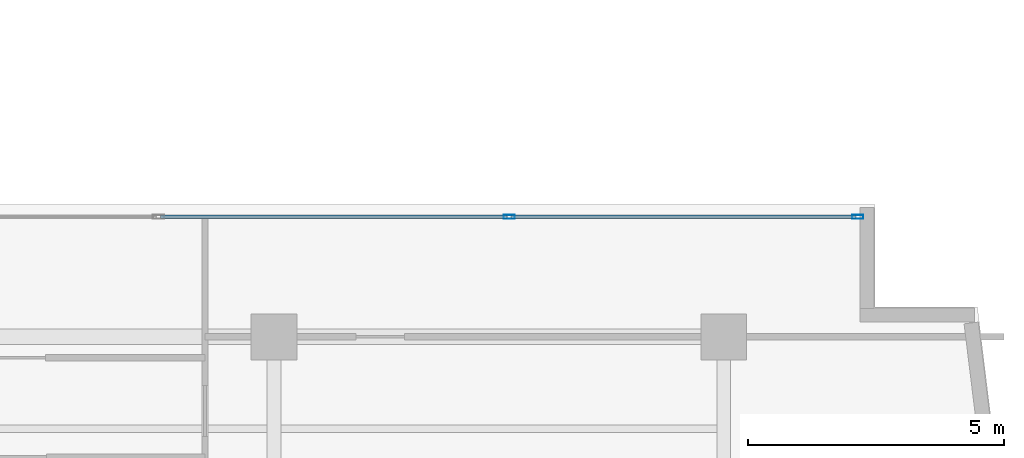
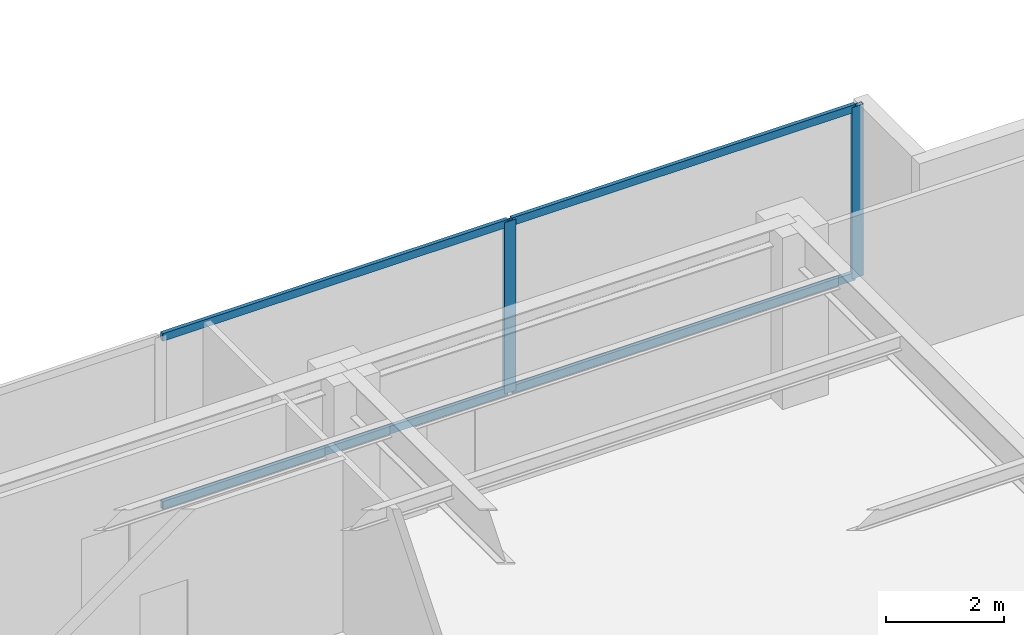
# One storey, part 12 of 22: 6 members, 1 element without a shape of its own.
"""IFC4 building model written with IfcOpenShell, lengths in metres."""

from ifc_helpers import new_model, si_unit, direction, frame, origin, origin_with_axes, origin_2d, place, context, subcontext, project, spatial, hollow_rectangle, extrude, source, transform, mapped, material, layer, layer_set, material_profile, profile_set, type_object, element, aggregate, save


model = new_model("IFC4")

# Units and contexts
model_context = context("Model", 3, precision=1e-05, world=origin(), true_north=direction((0.0, 1.0)))
body_context = subcontext(model_context, "Body", "Model", "MODEL_VIEW")
ifc_project = project(units=[si_unit("LENGTHUNIT", "METRE"), si_unit("AREAUNIT", "SQUARE_METRE"), si_unit("VOLUMEUNIT", "CUBIC_METRE"), si_unit("PLANEANGLEUNIT", "RADIAN"), si_unit("MASSUNIT", "GRAM", prefix="KILO")], contexts=[model_context])

# Site, building, storey
site_placement = place(None, origin())
site = spatial("IfcSite", under=ifc_project, at=site_placement, CompositionType="ELEMENT")
building_placement = place(site_placement, origin())
building = spatial("IfcBuilding", under=site, at=building_placement, Name="Kolvaren Waterfront Exchange", CompositionType="ELEMENT")
storey_placement = place(building_placement, frame((0.0, 0.0, 266.60009765625)))
storey = spatial("IfcBuildingStorey", under=building, at=storey_placement, Name="L68", CompositionType="ELEMENT", Elevation=266.60009765625)

# Curtain wall, members
ifc_material_1 = material(Name="Anodised bronze aluminium 6063-T6", Category="aluminium")
ifc_layer = layer(ifc_material_1, 0.219970703125, Name="Anodised bronze aluminium 6063-T6")
ifc_layer_set = layer_set([ifc_layer], Name="Anodised bronze aluminium 6063-T6")
curtain_wall_type = type_object("IfcCurtainWallType", Name="ARC-CW-SYS1", PredefinedType="USERDEFINED", material=ifc_layer_set)
curtain_wall_placement = place(storey_placement, origin())
curtain_wall = element("IfcCurtainWall", 1, at=curtain_wall_placement, inside=storey, type_object=curtain_wall_type, Name="L68 stick curtain wall CW1 (CW-L68-EN)", ObjectType="STICK CURTAIN WALL", PredefinedType="USERDEFINED")
ifc_material_2 = material(Name="Anodised aluminium 6063-T6", Category="aluminium")
ifc_material_profile_1 = material_profile(ifc_material_2, hollow_rectangle(XDim=0.080078125, YDim=0.219970703125, WallThickness=0.0048828125, at=origin_2d()), Name="ALU-MUL-220x80x5")
ifc_profile_set_1 = profile_set([ifc_material_profile_1], Name="Anodised aluminium 6063-T6")
member_type_1 = type_object("IfcMemberType", Name="ARC-CWM-220", PredefinedType="MULLION", material=ifc_profile_set_1)
shared_shape_1 = source(origin_with_axes(), body_context, "Body", "SweptSolid", [
    extrude(hollow_rectangle(XDim=0.080078125, YDim=0.219970703125, WallThickness=0.0048828125, at=origin_2d()), origin(), (0.0, 0.0, 1.0), 3.559814453125),
])
member_1_placement = place(storey_placement, frame((41.40185546875, 19.74951171875, 0.0), z_axis=(0.0, 0.0, 1.0), x_axis=(0.0, 1.0, 0.0)))
member_1 = element("IfcMember", 2, at=member_1_placement, type_object=member_type_1, Name="CW1 mullion 3", PredefinedType="MULLION", context=body_context, shape_type="MappedRepresentation", body=[
    mapped(shared_shape_1, transform((0.0, 0.0, 0.0), x_axis=(1.0, 0.0, 0.0), y_axis=(0.0, 1.0, 0.0), z_axis=(0.0, 0.0, 1.0), scale=1.0)),
])
member_2_placement = place(storey_placement, frame((48.22314453125, 19.74951171875, 0.0), z_axis=(0.0, 0.0, 1.0), x_axis=(0.0, 1.0, 0.0)))
member_2 = element("IfcMember", 3, at=member_2_placement, type_object=member_type_1, Name="CW1 mullion 4", PredefinedType="MULLION", context=body_context, shape_type="MappedRepresentation", body=[
    mapped(shared_shape_1, transform((0.0, 0.0, 0.0), x_axis=(1.0, 0.0, 0.0), y_axis=(0.0, 1.0, 0.0), z_axis=(0.0, 0.0, 1.0), scale=1.0)),
])
ifc_material_profile_2 = material_profile(ifc_material_2, hollow_rectangle(XDim=0.074951171875, YDim=0.159912109375, WallThickness=0.00439453125, at=origin_2d()), Name="ALU-TRN-160x75x4.5")
ifc_profile_set_2 = profile_set([ifc_material_profile_2], Name="Anodised aluminium 6063-T6")
member_type_2 = type_object("IfcMemberType", Name="ARC-CWT-160", PredefinedType="USERDEFINED", material=ifc_profile_set_2)
shared_shape_2 = source(origin_with_axes(), body_context, "Body", "SweptSolid", [
    extrude(hollow_rectangle(XDim=0.074951171875, YDim=0.159912109375, WallThickness=0.00439453125, at=origin_2d()), origin(), (0.0, 0.0, 1.0), 6.7412109375),
])
member_3_placement = place(storey_placement, frame((41.44189453125, 19.74951171875, 0.037353515625), z_axis=(1.0, 0.0, 0.0), x_axis=(0.0, 1.0, 0.0)))
member_3 = element("IfcMember", 4, at=member_3_placement, type_object=member_type_2, Name="CW1 transom 3.1", ObjectType="TRANSOM", PredefinedType="USERDEFINED", context=body_context, shape_type="MappedRepresentation", body=[
    mapped(shared_shape_2, transform((0.0, 0.0, 0.0), x_axis=(1.0, 0.0, 0.0), y_axis=(0.0, 1.0, 0.0), z_axis=(0.0, 0.0, 1.0), scale=1.0)),
])
member_4_placement = place(storey_placement, frame((41.44189453125, 19.74951171875, 3.5224609375), z_axis=(1.0, 0.0, 0.0), x_axis=(0.0, 1.0, 0.0)))
member_4 = element("IfcMember", 5, at=member_4_placement, type_object=member_type_2, Name="CW1 transom 3.2", ObjectType="TRANSOM", PredefinedType="USERDEFINED", context=body_context, shape_type="MappedRepresentation", body=[
    mapped(shared_shape_2, transform((0.0, 0.0, 0.0), x_axis=(1.0, 0.0, 0.0), y_axis=(0.0, 1.0, 0.0), z_axis=(0.0, 0.0, 1.0), scale=1.0)),
])
shared_shape_3 = source(origin_with_axes(), body_context, "Body", "SweptSolid", [
    extrude(hollow_rectangle(XDim=0.074951171875, YDim=0.159912109375, WallThickness=0.00439453125, at=origin_2d()), origin(), (0.0, 0.0, 1.0), 6.78125),
])
member_5_placement = place(storey_placement, frame((34.580810546875, 19.74951171875, 0.037353515625), z_axis=(1.0, 0.0, 0.0), x_axis=(0.0, 1.0, 0.0)))
member_5 = element("IfcMember", 6, at=member_5_placement, type_object=member_type_2, Name="CW1 transom 2.1", ObjectType="TRANSOM", PredefinedType="USERDEFINED", context=body_context, shape_type="MappedRepresentation", body=[
    mapped(shared_shape_3, transform((0.0, 0.0, 0.0), x_axis=(1.0, 0.0, 0.0), y_axis=(0.0, 1.0, 0.0), z_axis=(0.0, 0.0, 1.0), scale=1.0)),
])
member_6_placement = place(storey_placement, frame((34.580810546875, 19.74951171875, 3.5224609375), z_axis=(1.0, 0.0, 0.0), x_axis=(0.0, 1.0, 0.0)))
member_6 = element("IfcMember", 7, at=member_6_placement, type_object=member_type_2, Name="CW1 transom 2.2", ObjectType="TRANSOM", PredefinedType="USERDEFINED", context=body_context, shape_type="MappedRepresentation", body=[
    mapped(shared_shape_3, transform((0.0, 0.0, 0.0), x_axis=(1.0, 0.0, 0.0), y_axis=(0.0, 1.0, 0.0), z_axis=(0.0, 0.0, 1.0), scale=1.0)),
])
aggregate(curtain_wall, [member_1, member_2, member_5, member_6, member_3, member_4])

save(model, "model.ifc")
